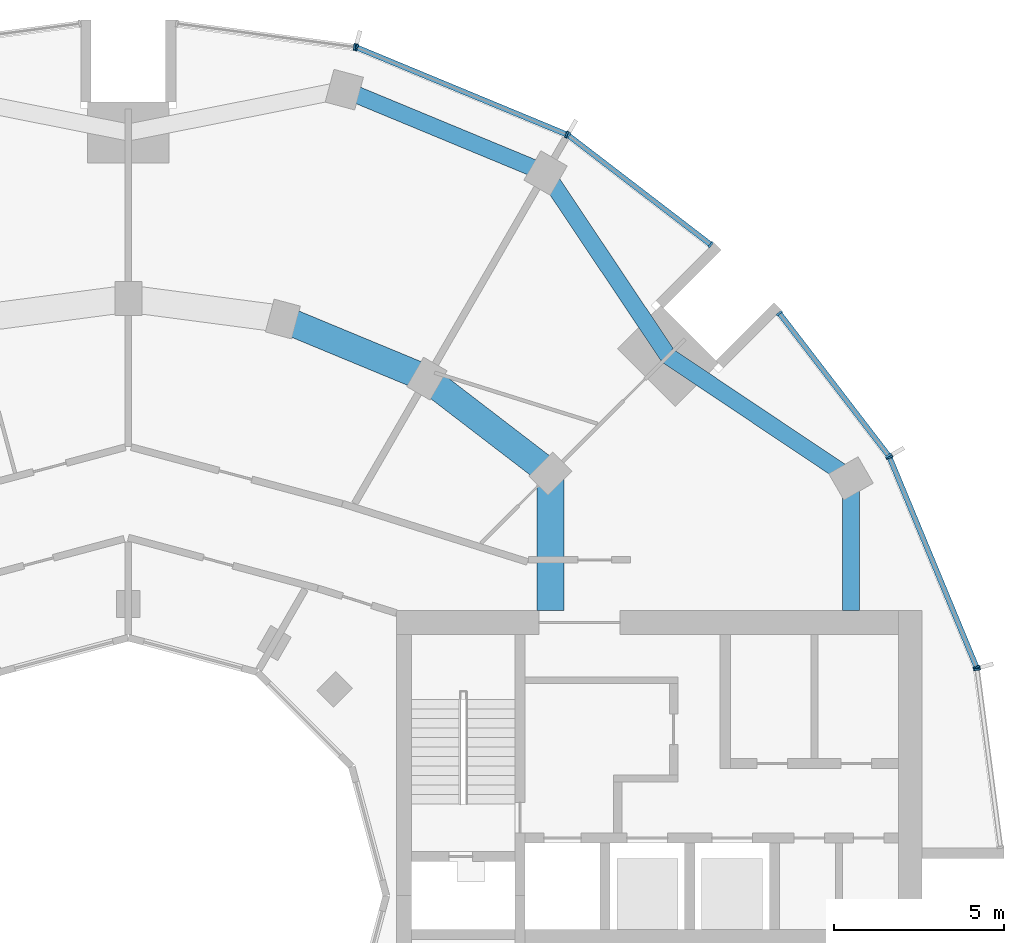
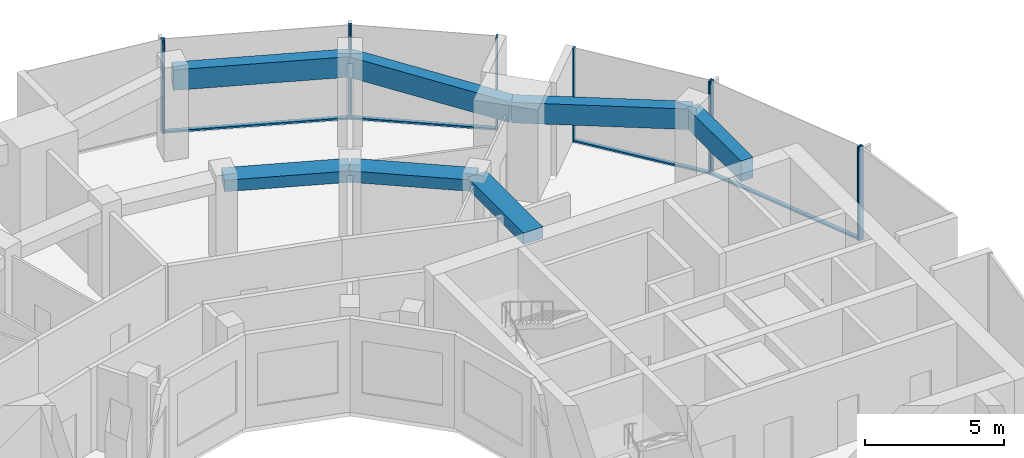
# One storey, part 6 of 15: 14 members, 7 beams, 6 elements without a shape of their own.
"""IFC4 building model written with IfcOpenShell, lengths in metres."""

import ifcopenshell
import ifcopenshell.guid

model = None  # the IFC model being written
_history = None  # IfcOwnerHistory: only IFC2X3 demands one
_inside = {}  # id of a spatial element -> (the spatial element, [elements in it])
_under = {}  # id of a project, library or spatial element -> (it, [spatial elements below it])
_declared = {}  # id of a project -> (the project, [libraries it declares])
_typed = {}  # id of a type object -> (the type object, [elements of that type])
_made_of = {}  # id of a material, layer set ... -> (it, [elements and type objects made of it])


def new_model(schema):
    """Start an empty IFC model of exactly this schema.

    Asked for "IFC4X3", IfcOpenShell would pick the latest addendum, in which some entities
    have other attributes; the version numbers below select the first issue.
    IFC2X3 requires an IfcOwnerHistory on every rooted entity: one is made here for all.
    """
    global model, _history
    if schema == "IFC4X3":
        model = ifcopenshell.file(schema_version=(4, 3, 0, 0))
    else:
        model = ifcopenshell.file(schema=schema)
    _inside.clear()
    _under.clear()
    _declared.clear()
    _typed.clear()
    _made_of.clear()
    _history = None
    if model.schema == "IFC2X3":
        org = make("IfcOrganization", Name="unknown")
        user = make(
            "IfcPersonAndOrganization",
            ThePerson=make("IfcPerson", FamilyName="unknown"),
            TheOrganization=org,
        )
        app = make(
            "IfcApplication",
            ApplicationDeveloper=org,
            Version="unknown",
            ApplicationFullName="unknown",
            ApplicationIdentifier="unknown",
        )
        _history = make(
            "IfcOwnerHistory",
            OwningUser=user,
            OwningApplication=app,
            ChangeAction="ADDED",
            CreationDate=0,
        )
    return model


def make(cls, **values):
    """One entity of the class cls with the attributes given. An attribute that is None is left unset."""
    return model.create_entity(
        cls, **{name: value for name, value in values.items() if value is not None}
    )


def rooted(cls, **values):
    """An entity with a GlobalId (a new one), such as an element, a storey or a relation."""
    return make(cls, GlobalId=ifcopenshell.guid.new(), OwnerHistory=_history, **values)


def si_unit(unit_type, name, prefix=None):
    """IfcSIUnit, for example si_unit("LENGTHUNIT", "METRE", prefix="MILLI")."""
    return make("IfcSIUnit", UnitType=unit_type, Prefix=prefix, Name=name)


def assignment(units):
    """IfcUnitAssignment: the units of a project."""
    return None if units is None else make("IfcUnitAssignment", Units=units)


def point(xyz):
    """IfcCartesianPoint."""
    return None if xyz is None else make("IfcCartesianPoint", Coordinates=xyz)


def direction(xyz):
    """IfcDirection."""
    return None if xyz is None else make("IfcDirection", DirectionRatios=xyz)


def frame(location, z_axis=None, x_axis=None):
    """IfcAxis2Placement3D, a coordinate frame: its origin and axes. An axis left out is left unset."""
    return make(
        "IfcAxis2Placement3D",
        Location=point(location),
        Axis=direction(z_axis),
        RefDirection=direction(x_axis),
    )


def frame_2d(location, x_axis=None):
    """IfcAxis2Placement2D, a coordinate frame in the plane: its origin and x axis."""
    return make(
        "IfcAxis2Placement2D", Location=point(location), RefDirection=direction(x_axis)
    )


def origin():
    """The frame at (0, 0, 0) with its axes left unset."""
    return frame((0.0, 0.0, 0.0))


def origin_2d():
    """The frame at (0, 0) in the plane with its x axis left unset."""
    return frame_2d((0.0, 0.0))


def place(relative_to, where):
    """IfcLocalPlacement: puts the frame where relative to a parent placement (None: the world)."""
    return make(
        "IfcLocalPlacement", PlacementRelTo=relative_to, RelativePlacement=where
    )


def context(
    kind, dimensions, precision=None, world=None, true_north=None, identifier=None
):
    """IfcGeometricRepresentationContext, for example the 3D "Model" context."""
    return make(
        "IfcGeometricRepresentationContext",
        ContextIdentifier=identifier,
        ContextType=kind,
        CoordinateSpaceDimension=dimensions,
        Precision=precision,
        WorldCoordinateSystem=world,
        TrueNorth=true_north,
    )


def subcontext(parent, identifier, kind, view, scale=None):
    """IfcGeometricRepresentationSubContext, for example "Body" below "Model"."""
    return make(
        "IfcGeometricRepresentationSubContext",
        ContextIdentifier=identifier,
        ContextType=kind,
        ParentContext=parent,
        TargetScale=scale,
        TargetView=view,
    )


def project(units=None, contexts=None):
    """IfcProject with its units and contexts."""
    return rooted(
        "IfcProject",
        Name="project",
        RepresentationContexts=contexts,
        UnitsInContext=assignment(units),
    )


def spatial(cls, under=None, at=None, **own):
    """A site, building, storey or space (cls), placed at a placement, below another one or the project."""
    s = rooted(cls, ObjectPlacement=at, **own)
    if under is not None:
        _under.setdefault(under.id(), (under, []))[1].append(s)
    return s


def profile(cls, at=None, kind="AREA", **sizes):
    """A parametric profile (cls). Its sizes go by their IFC names, for example OverallWidth=200.0."""
    return make(cls, ProfileType=kind, Position=at, **sizes)


def rectangle(**sizes):
    """IfcRectangleProfileDef."""
    return profile("IfcRectangleProfileDef", **sizes)


def extrude(swept, where, along, depth):
    """IfcExtrudedAreaSolid: the profile swept, set in the frame where, extruded along a direction by depth."""
    return make(
        "IfcExtrudedAreaSolid",
        SweptArea=swept,
        Position=where,
        ExtrudedDirection=direction(along),
        Depth=depth,
    )


def shape(context_of_items, identifier, shape_type, items):
    """IfcShapeRepresentation: the items that make up one representation, for example the "Body"."""
    return make(
        "IfcShapeRepresentation",
        ContextOfItems=context_of_items,
        RepresentationIdentifier=identifier,
        RepresentationType=shape_type,
        Items=items,
    )


def material(Name=None, Category=None):
    """IfcMaterial."""
    return make("IfcMaterial", Name=Name, Category=Category)


def layer(
    of_material, thickness, ventilated=None, Name=None, Category=None, Priority=None
):
    """IfcMaterialLayer: one layer of a wall or slab, of a material (None: an air gap)."""
    return make(
        "IfcMaterialLayer",
        Material=of_material,
        LayerThickness=thickness,
        IsVentilated=ventilated,
        Name=Name,
        Category=Category,
        Priority=Priority,
    )


def layer_set(layers, Name=None):
    """IfcMaterialLayerSet."""
    return make("IfcMaterialLayerSet", MaterialLayers=layers, LayerSetName=Name)


def material_profile(
    of_material, cross_section, Name=None, Category=None, Priority=None
):
    """IfcMaterialProfile: a cross section and its material."""
    return make(
        "IfcMaterialProfile",
        Name=Name,
        Material=of_material,
        Profile=cross_section,
        Priority=Priority,
        Category=Category,
    )


def profile_set(profiles, Name=None, composite=None):
    """IfcMaterialProfileSet."""
    return make(
        "IfcMaterialProfileSet",
        Name=Name,
        MaterialProfiles=profiles,
        CompositeProfile=composite,
    )


def made_of(thing, what):
    """Note that an element or type object is made of a material, layer set ...; save() writes the relation."""
    if what is not None:
        _made_of.setdefault(what.id(), (what, []))[1].append(thing)
    return thing


def type_object(cls, material=None, **own):
    """A type object (cls), such as IfcWallType, which elements share."""
    return made_of(rooted(cls, **own), material)


def element(
    cls,
    number,
    at=None,
    inside=None,
    cuts=None,
    type_object=None,
    material=None,
    context=None,
    identifier="Body",
    shape_type=None,
    held_by="IfcProductDefinitionShape",
    body=None,
    shapes=None,
    **own,
):
    """One element of the class cls, such as IfcWall. Its Tag is "e" and its number.

    at: its placement. inside: the storey or other place that contains it. cuts: it is an
    opening in that element (IfcRelVoidsElement). A single representation is given by context,
    identifier, shape_type and body (its items); several are given by shapes. held_by: the class
    of the entity that holds the representations. save() writes the other relations.
    """
    e = rooted(cls, Tag="e%d" % number, ObjectPlacement=at, **own)
    if body is not None:
        shapes = [shape(context, identifier, shape_type, body)]
    if shapes is not None:
        e.Representation = make(held_by, Representations=shapes)
    if inside is not None:
        _inside.setdefault(inside.id(), (inside, []))[1].append(e)
    if cuts is not None:
        rooted(
            "IfcRelVoidsElement", RelatingBuildingElement=cuts, RelatedOpeningElement=e
        )
    if type_object is not None:
        _typed.setdefault(type_object.id(), (type_object, []))[1].append(e)
    return made_of(e, material)


def aggregate(whole, parts):
    """IfcRelAggregates: a whole, such as a stair, and the parts it consists of."""
    return rooted("IfcRelAggregates", RelatingObject=whole, RelatedObjects=parts)


def save(model, path):
    """Write the relations noted so far, then the file.

    IfcRelAggregates (storeys below a building ...), IfcRelContainedInSpatialStructure (elements
    in a storey), IfcRelDefinesByType, IfcRelAssociatesMaterial and IfcRelDeclares: one each for
    every whole, place, type object, material and project.
    """
    for whole, parts in _under.values():
        aggregate(whole, parts)
    for where, things in _inside.values():
        rooted(
            "IfcRelContainedInSpatialStructure",
            RelatedElements=things,
            RelatingStructure=where,
        )
    for kind, things in _typed.values():
        rooted("IfcRelDefinesByType", RelatedObjects=things, RelatingType=kind)
    for what, things in _made_of.values():
        rooted("IfcRelAssociatesMaterial", RelatedObjects=things, RelatingMaterial=what)
    for by, libraries in _declared.values():
        rooted("IfcRelDeclares", RelatingContext=by, RelatedDefinitions=libraries)
    model.write(path)


model = new_model("IFC4")

# Units and contexts
model_context = context("Model", 3, precision=1e-05, world=origin(), true_north=direction((0.0, 1.0)))
body_context = subcontext(model_context, "Body", "Model", "MODEL_VIEW")
ifc_project = project(units=[si_unit("LENGTHUNIT", "METRE"), si_unit("AREAUNIT", "SQUARE_METRE"), si_unit("VOLUMEUNIT", "CUBIC_METRE"), si_unit("PLANEANGLEUNIT", "RADIAN"), si_unit("MASSUNIT", "GRAM", prefix="KILO")], contexts=[model_context])

# Site, building, storey
site_placement = place(None, origin())
site = spatial("IfcSite", under=ifc_project, at=site_placement, CompositionType="ELEMENT")
building_placement = place(site_placement, origin())
building = spatial("IfcBuilding", under=site, at=building_placement, Name="Torre Brocal", CompositionType="ELEMENT")
storey_placement = place(building_placement, frame((0.0, 0.0, 161.800048828125)))
storey = spatial("IfcBuildingStorey", under=building, at=storey_placement, Name="L37", CompositionType="ELEMENT", Elevation=161.800048828125)

# Curtain wall, members
ifc_material_1 = material(Name="Aluminium and glass", Category="aluminium")
ifc_layer_1 = layer(ifc_material_1, 0.199951171875)
ifc_layer_set_1 = layer_set([ifc_layer_1], Name="Aluminium and glass")
curtain_wall_type_1 = type_object("IfcCurtainWallType", Name="CW-1 CURTAIN WALL 4100 HIGH", PredefinedType="NOTDEFINED", material=ifc_layer_set_1)
curtain_wall_1_placement = place(storey_placement, origin())
curtain_wall_1 = element("IfcCurtainWall", 1, at=curtain_wall_1_placement, inside=storey, type_object=curtain_wall_type_1, Name="CW-1 RUN 2", PredefinedType="NOTDEFINED")
ifc_material_2 = material(Name="Aluminium, dark anodised", Category="aluminium")
ifc_material_profile_1 = material_profile(ifc_material_2, rectangle(XDim=0.199951171875, YDim=0.06005859375, at=origin_2d()), Name="CW-1 MULLION 60X200")
ifc_profile_set_1 = profile_set([ifc_material_profile_1], Name="Aluminium, dark anodised")
member_type_1 = type_object("IfcMemberType", Name="CW-1 MULLION 60X200", PredefinedType="MULLION", material=ifc_profile_set_1)
member_1_placement = place(storey_placement, frame((105.005126953125, 81.73095703125, 0.0), z_axis=(0.0, 0.0, 1.0), x_axis=(-0.923879532525, -0.382683432333, 0.0)))
member_1 = element("IfcMember", 2, at=member_1_placement, type_object=member_type_1, Name="CW1-4 mullion 1", PredefinedType="MULLION", context=body_context, shape_type="SweptSolid", body=[
    extrude(rectangle(XDim=0.199951171875, YDim=0.06005859375, at=origin_2d()), origin(), (0.0, 0.0, 1.0), 4.099853515625),
])
member_2_placement = place(storey_placement, frame((102.440673828125, 87.921875, 0.0), z_axis=(0.0, 0.0, 1.0), x_axis=(-0.923879532525, -0.382683432333, 0.0)))
member_2 = element("IfcMember", 3, at=member_2_placement, type_object=member_type_1, Name="CW1-4 mullion 2", PredefinedType="MULLION", context=body_context, shape_type="SweptSolid", body=[
    extrude(rectangle(XDim=0.199951171875, YDim=0.06005859375, at=origin_2d()), origin(), (0.0, 0.0, 1.0), 4.099853515625),
])

curtain_wall_2_placement = place(storey_placement, origin())
curtain_wall_2 = element("IfcCurtainWall", 4, at=curtain_wall_2_placement, inside=storey, type_object=curtain_wall_type_1, Name="CW-1 RUN 3", PredefinedType="NOTDEFINED")
member_3_placement = place(storey_placement, frame((102.4111328125, 87.973388671875, 0.0), z_axis=(0.0, 0.0, 1.0), x_axis=(-0.793353340259, -0.60876142905, 0.0)))
member_3 = element("IfcMember", 5, at=member_3_placement, type_object=member_type_1, Name="CW1-4 mullion 1", PredefinedType="MULLION", context=body_context, shape_type="SweptSolid", body=[
    extrude(rectangle(XDim=0.199951171875, YDim=0.06005859375, at=origin_2d()), origin(), (0.0, 0.0, 1.0), 4.099853515625),
])
member_4_placement = place(storey_placement, frame((99.19140625, 92.16943359375, 0.0), z_axis=(0.0, 0.0, 1.0), x_axis=(-0.793353340259, -0.60876142905, 0.0)))
member_4 = element("IfcMember", 6, at=member_4_placement, type_object=member_type_1, Name="CW1-4 mullion 2", PredefinedType="MULLION", context=body_context, shape_type="SweptSolid", body=[
    extrude(rectangle(XDim=0.199951171875, YDim=0.06005859375, at=origin_2d()), origin(), (0.0, 0.0, 1.0), 4.099853515625),
])

curtain_wall_3_placement = place(storey_placement, origin())
curtain_wall_3 = element("IfcCurtainWall", 7, at=curtain_wall_3_placement, inside=storey, type_object=curtain_wall_type_1, Name="CW-1 RUN 4", PredefinedType="NOTDEFINED")
member_5_placement = place(storey_placement, frame((97.16943359375, 94.19140625, 0.0), z_axis=(0.0, 0.0, 1.0), x_axis=(-0.60876142905, -0.793353340259, 0.0)))
member_5 = element("IfcMember", 8, at=member_5_placement, type_object=member_type_1, Name="CW1-4 mullion 1", PredefinedType="MULLION", context=body_context, shape_type="SweptSolid", body=[
    extrude(rectangle(XDim=0.199951171875, YDim=0.06005859375, at=origin_2d()), origin(), (0.0, 0.0, 1.0), 4.099853515625),
])
member_6_placement = place(storey_placement, frame((92.973388671875, 97.4111328125, 0.0), z_axis=(0.0, 0.0, 1.0), x_axis=(-0.60876142905, -0.793353340259, 0.0)))
member_6 = element("IfcMember", 9, at=member_6_placement, type_object=member_type_1, Name="CW1-4 mullion 2", PredefinedType="MULLION", context=body_context, shape_type="SweptSolid", body=[
    extrude(rectangle(XDim=0.199951171875, YDim=0.06005859375, at=origin_2d()), origin(), (0.0, 0.0, 1.0), 4.099853515625),
])

curtain_wall_4_placement = place(storey_placement, origin())
curtain_wall_4 = element("IfcCurtainWall", 10, at=curtain_wall_4_placement, inside=storey, type_object=curtain_wall_type_1, Name="CW-1 RUN 5", PredefinedType="NOTDEFINED")
member_7_placement = place(storey_placement, frame((92.921875, 97.440673828125, 0.0), z_axis=(0.0, 0.0, 1.0), x_axis=(-0.382683432333, -0.923879532525, 0.0)))
member_7 = element("IfcMember", 11, at=member_7_placement, type_object=member_type_1, Name="CW1-4 mullion 1", PredefinedType="MULLION", context=body_context, shape_type="SweptSolid", body=[
    extrude(rectangle(XDim=0.199951171875, YDim=0.06005859375, at=origin_2d()), origin(), (0.0, 0.0, 1.0), 4.099853515625),
])
member_8_placement = place(storey_placement, frame((86.73095703125, 100.005126953125, 0.0), z_axis=(0.0, 0.0, 1.0), x_axis=(-0.382683432333, -0.923879532525, 0.0)))
member_8 = element("IfcMember", 12, at=member_8_placement, type_object=member_type_1, Name="CW1-4 mullion 2", PredefinedType="MULLION", context=body_context, shape_type="SweptSolid", body=[
    extrude(rectangle(XDim=0.199951171875, YDim=0.06005859375, at=origin_2d()), origin(), (0.0, 0.0, 1.0), 4.099853515625),
])

# Curtain wall, member
curtain_wall_5_placement = place(storey_placement, origin())
curtain_wall_5 = element("IfcCurtainWall", 13, at=curtain_wall_5_placement, inside=storey, type_object=curtain_wall_type_1, Name="CW-1 RUN 6", PredefinedType="NOTDEFINED")
member_9_placement = place(storey_placement, frame((86.67333984375, 100.0205078125, 0.0), z_axis=(0.0, 0.0, 1.0), x_axis=(-0.13052619222, -0.991444861374, 0.0)))
member_9 = element("IfcMember", 14, at=member_9_placement, type_object=member_type_1, Name="CW1-4 mullion 1", PredefinedType="MULLION", context=body_context, shape_type="SweptSolid", body=[
    extrude(rectangle(XDim=0.199951171875, YDim=0.06005859375, at=origin_2d()), origin(), (0.0, 0.0, 1.0), 4.099853515625),
])
aggregate(curtain_wall_5, [member_9])

# Member
ifc_material_3 = material(Name="Aluminium, dark anodised", Category="aluminium")
ifc_material_profile_2 = material_profile(ifc_material_3, rectangle(XDim=0.159912109375, YDim=0.080078125, at=origin_2d()), Name="CW-1 TRANSOM 160X80")
ifc_profile_set_2 = profile_set([ifc_material_profile_2], Name="Aluminium, dark anodised")
member_type_2 = type_object("IfcMemberType", Name="CW-1 TRANSOM 160X80", PredefinedType="USERDEFINED", material=ifc_profile_set_2)
member_10_placement = place(storey_placement, frame((104.99365234375, 81.758544921875, 0.0400390625), z_axis=(-0.38266457234, 0.923887344364, 0.0), x_axis=(-0.923887344364, -0.38266457234, 0.0)))
member_10 = element("IfcMember", 15, at=member_10_placement, type_object=member_type_2, Name="CW1-4 transom 1.1", ObjectType="TRANSOM", PredefinedType="USERDEFINED", context=body_context, shape_type="SweptSolid", body=[
    extrude(rectangle(XDim=0.159912109375, YDim=0.080078125, at=origin_2d()), origin(), (0.0, 0.0, 1.0), 6.640869140625),
])

aggregate(curtain_wall_1, [member_1, member_2, member_10])

member_11_placement = place(storey_placement, frame((102.392822265625, 87.9970703125, 0.0400390625), z_axis=(-0.60874908096, 0.79336281513, 0.0), x_axis=(-0.79336281513, -0.60874908096, 0.0)))
member_11 = element("IfcMember", 16, at=member_11_placement, type_object=member_type_2, Name="CW1-4 transom 1.1", ObjectType="TRANSOM", PredefinedType="USERDEFINED", context=body_context, shape_type="SweptSolid", body=[
    extrude(rectangle(XDim=0.159912109375, YDim=0.080078125, at=origin_2d()), origin(), (0.0, 0.0, 1.0), 5.22900390625),
])

aggregate(curtain_wall_2, [member_3, member_4, member_11])

member_12_placement = place(storey_placement, frame((97.1455078125, 94.209716796875, 0.0400390625), z_axis=(-0.79336281513, 0.60874908096, 0.0), x_axis=(-0.60874908096, -0.79336281513, 0.0)))
member_12 = element("IfcMember", 17, at=member_12_placement, type_object=member_type_2, Name="CW1-4 transom 1.1", ObjectType="TRANSOM", PredefinedType="USERDEFINED", context=body_context, shape_type="SweptSolid", body=[
    extrude(rectangle(XDim=0.159912109375, YDim=0.080078125, at=origin_2d()), origin(), (0.0, 0.0, 1.0), 5.22900390625),
])

aggregate(curtain_wall_3, [member_5, member_6, member_12])

member_13_placement = place(storey_placement, frame((92.89404296875, 97.452392578125, 0.0400390625), z_axis=(-0.923887344364, 0.38266457234, 0.0), x_axis=(-0.38266457234, -0.923887344364, 0.0)))
member_13 = element("IfcMember", 18, at=member_13_placement, type_object=member_type_2, Name="CW1-4 transom 1.1", ObjectType="TRANSOM", PredefinedType="USERDEFINED", context=body_context, shape_type="SweptSolid", body=[
    extrude(rectangle(XDim=0.159912109375, YDim=0.080078125, at=origin_2d()), origin(), (0.0, 0.0, 1.0), 6.640869140625),
])

aggregate(curtain_wall_4, [member_7, member_8, member_13])

# Curtain wall, member
ifc_material_4 = material(Name="Aluminium and glass", Category="aluminium")
ifc_layer_2 = layer(ifc_material_4, 0.199951171875)
ifc_layer_set_2 = layer_set([ifc_layer_2], Name="Aluminium and glass")
curtain_wall_type_2 = type_object("IfcCurtainWallType", Name="CW-1B CURTAIN WALL 4100 HIGH", PredefinedType="NOTDEFINED", material=ifc_layer_set_2)
curtain_wall_6_placement = place(storey_placement, origin())
curtain_wall_6 = element("IfcCurtainWall", 19, at=curtain_wall_6_placement, inside=storey, type_object=curtain_wall_type_2, Name="CW-1B RUN 1", PredefinedType="NOTDEFINED")
ifc_material_5 = material(Name="Aluminium, dark anodised", Category="aluminium")
ifc_material_profile_3 = material_profile(ifc_material_5, rectangle(XDim=0.199951171875, YDim=0.06005859375, at=origin_2d()), Name="CW-1B MULLION 60X200")
ifc_profile_set_3 = profile_set([ifc_material_profile_3], Name="Aluminium, dark anodised")
member_type_3 = type_object("IfcMemberType", Name="CW-1B MULLION 60X200", PredefinedType="MULLION", material=ifc_profile_set_3)
member_14_placement = place(storey_placement, frame((105.0205078125, 81.67333984375, 0.0), z_axis=(0.0, 0.0, 1.0), x_axis=(-0.991444861374, -0.13052619222, 0.0)))
member_14 = element("IfcMember", 20, at=member_14_placement, type_object=member_type_3, Name="CW1B-4 mullion 2", PredefinedType="MULLION", context=body_context, shape_type="SweptSolid", body=[
    extrude(rectangle(XDim=0.199951171875, YDim=0.06005859375, at=origin_2d()), origin(), (0.0, 0.0, 1.0), 4.099853515625),
])
aggregate(curtain_wall_6, [member_14])

# Beams
ifc_material_6 = material(Name="Concrete C50", Category="concrete")
ifc_material_profile_4 = material_profile(ifc_material_6, rectangle(XDim=0.800048828125, YDim=0.5, at=origin_2d()), Name="RC 800X500")
ifc_profile_set_4 = profile_set([ifc_material_profile_4], Name="Concrete C50")
beam_type_1 = type_object("IfcBeamType", Name="RC BEAM 800X500 C50 TOP 3780", PredefinedType="BEAM", material=ifc_profile_set_4)
beam_1_placement = place(storey_placement, frame((92.445068359375, 87.445068359375, 3.530029296875), z_axis=(-0.793358265959, 0.6087550097, 0.0), x_axis=(-0.6087550097, -0.793358265959, 0.0)))
element("IfcBeam", 21, at=beam_1_placement, inside=storey, type_object=beam_type_1, Name="Beam BT-32", PredefinedType="BEAM", context=body_context, shape_type="SweptSolid", body=[
    extrude(rectangle(XDim=0.800048828125, YDim=0.5, at=origin_2d()), origin(), (0.0, 0.0, 1.0), 4.594482421875),
])
beam_2_placement = place(storey_placement, frame((88.800048828125, 90.241943359375, 3.530029296875), z_axis=(-0.923878240166, 0.382686552348, 0.0), x_axis=(-0.382686552348, -0.923878240166, 0.0)))
element("IfcBeam", 22, at=beam_2_placement, inside=storey, type_object=beam_type_1, Name="Beam BT-32", PredefinedType="BEAM", context=body_context, shape_type="SweptSolid", body=[
    extrude(rectangle(XDim=0.800048828125, YDim=0.5, at=origin_2d()), origin(), (0.0, 0.0, 1.0), 4.5947265625),
])
beam_3_placement = place(storey_placement, frame((92.445068359375, 87.445068359375, 3.530029296875), z_axis=(0.0, -1.0, 0.0), x_axis=(1.0, 0.0, 0.0)))
element("IfcBeam", 23, at=beam_3_placement, inside=storey, type_object=beam_type_1, Name="Beam BT-32", PredefinedType="BEAM", context=body_context, shape_type="SweptSolid", body=[
    extrude(rectangle(XDim=0.800048828125, YDim=0.5, at=origin_2d()), origin(), (0.0, 0.0, 1.0), 4.045166015625),
])
ifc_material_7 = material(Name="Concrete C50", Category="concrete")
ifc_material_profile_5 = material_profile(ifc_material_7, rectangle(XDim=0.5, YDim=0.89990234375, at=origin_2d()), Name="RC 500X900")
ifc_profile_set_5 = profile_set([ifc_material_profile_5], Name="Concrete C50")
beam_type_2 = type_object("IfcBeamType", Name="RC SPANDREL BEAM 500X900 C50 TOP 3780", PredefinedType="SPANDREL", material=ifc_profile_set_5)
for number, where, z_axis, x_axis, name in (
    (24, (101.30419921875, 87.300048828125, 3.329833984375), (-0.831076844476, 0.556157602282, 0.0), (-0.556157602282, -0.831076844476, 0.0), "Beam BT-33"),
    (25, (95.909912109375, 90.909912109375, 3.329833984375), (-0.556157602282, 0.831076844476, 0.0), (-0.831076844476, -0.556157602282, 0.0), "Beam BT-33"),
):
    element("IfcBeam", number, at=place(storey_placement, frame(where, z_axis=z_axis, x_axis=x_axis)), inside=storey, type_object=beam_type_2, Name=name, PredefinedType="SPANDREL", context=body_context, shape_type="SweptSolid", body=[
        extrude(rectangle(XDim=0.5, YDim=0.89990234375, at=origin_2d()), origin(), (0.0, 0.0, 1.0), 6.49072265625),
    ])
beam_4_placement = place(storey_placement, frame((92.300048828125, 96.30419921875, 3.329833984375), z_axis=(-0.923882462513, 0.382676358639, 0.0), x_axis=(-0.382676358639, -0.923882462513, 0.0)))
element("IfcBeam", 26, at=beam_4_placement, inside=storey, type_object=beam_type_2, Name="Beam BT-33", PredefinedType="SPANDREL", context=body_context, shape_type="SweptSolid", body=[
    extrude(rectangle(XDim=0.5, YDim=0.89990234375, at=origin_2d()), origin(), (0.0, 0.0, 1.0), 6.421875),
])
beam_5_placement = place(storey_placement, frame((101.30419921875, 87.300048828125, 3.329833984375), z_axis=(0.0, -1.0, 0.0), x_axis=(1.0, 0.0, 0.0)))
element("IfcBeam", 27, at=beam_5_placement, inside=storey, type_object=beam_type_2, Name="Beam BT-33", PredefinedType="SPANDREL", context=body_context, shape_type="SweptSolid", body=[
    extrude(rectangle(XDim=0.5, YDim=0.89990234375, at=origin_2d()), origin(), (0.0, 0.0, 1.0), 3.900146484375),
])

save(model, "model.ifc")
